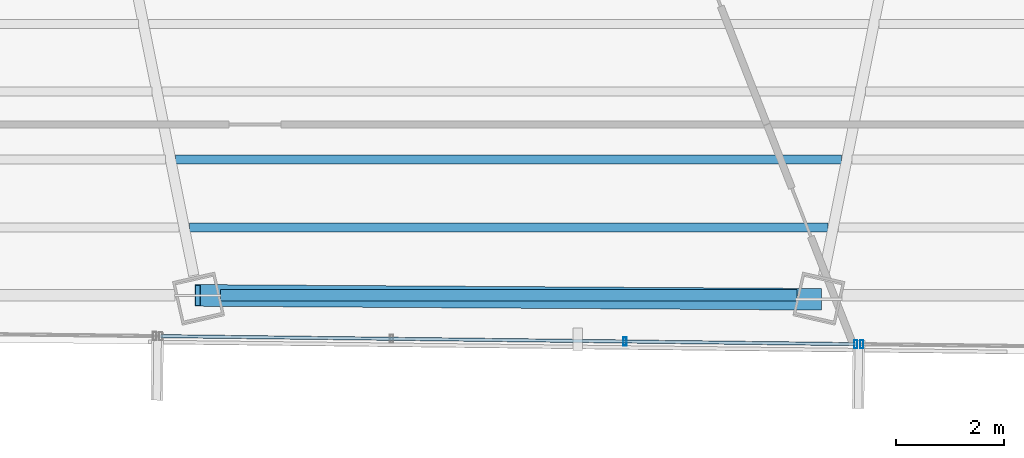
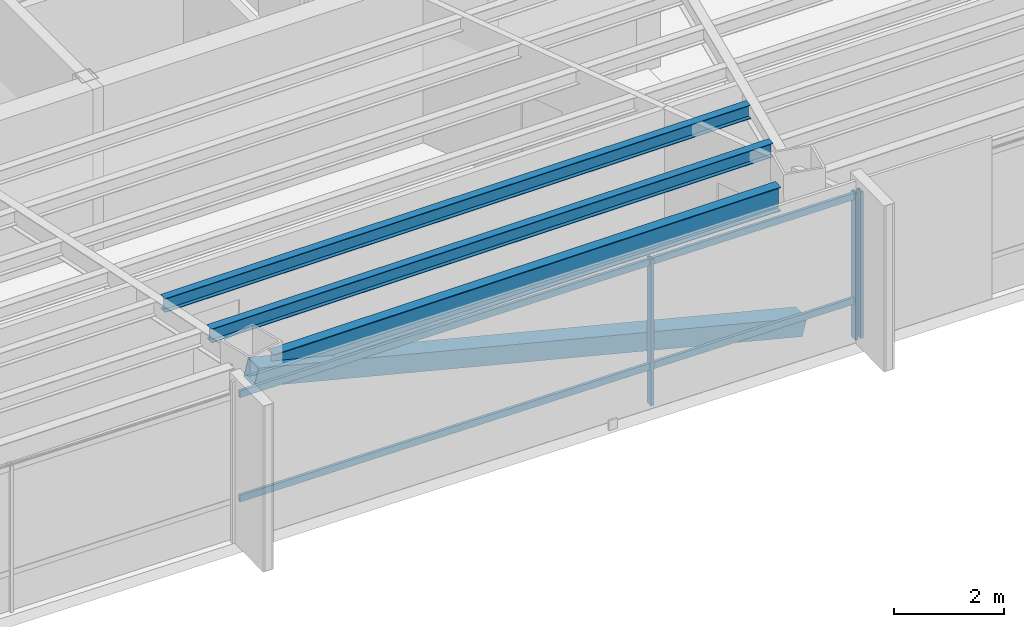
# One storey, part 10 of 40: 6 members, 3 beams, 2 elements without a shape of their own.
"""IFC4 building model written with IfcOpenShell, lengths in metres."""

from ifc_helpers import new_model, si_unit, direction, frame, origin, origin_2d, place, context, subcontext, project, spatial, hollow_rectangle, i_section, extrude, source, transform, mapped, material, material_profile, profile_set, type_object, type_shapes, element, aggregate, save


model = new_model("IFC4")

# Units and contexts
model_context = context("Model", 3, precision=1e-05, world=origin(), true_north=direction((0.0, 1.0)))
body_context = subcontext(model_context, "Body", "Model", "MODEL_VIEW")
ifc_project = project(units=[si_unit("LENGTHUNIT", "METRE"), si_unit("AREAUNIT", "SQUARE_METRE"), si_unit("VOLUMEUNIT", "CUBIC_METRE"), si_unit("PLANEANGLEUNIT", "RADIAN"), si_unit("MASSUNIT", "GRAM", prefix="KILO")], contexts=[model_context])

# Site, building, storey
site_placement = place(None, origin())
site = spatial("IfcSite", under=ifc_project, at=site_placement, CompositionType="ELEMENT")
building_placement = place(site_placement, origin())
building = spatial("IfcBuilding", under=site, at=building_placement, Name="Caelisora Broadcast Tower", CompositionType="ELEMENT")
storey_placement = place(building_placement, frame((0.0, 0.0, 216.89990234375)))
storey = spatial("IfcBuildingStorey", under=building, at=storey_placement, Name="L57", CompositionType="ELEMENT", Elevation=216.89990234375)

# Beams
ifc_material_1 = material(Name="Steel Grade 350 (AS/NZS 3679.1)", Category="steel")
ifc_material_profile_1 = material_profile(ifc_material_1, i_section(OverallWidth=0.208984375, OverallDepth=0.532958984375, WebThickness=0.01025390625, FlangeThickness=0.015625, at=origin_2d()), Name="Steel Grade 350 (AS/NZS 3679.1)")
ifc_profile_set_1 = profile_set([ifc_material_profile_1], Name="Steel Grade 350 (AS/NZS 3679.1)")
beam_type_1 = type_object("IfcBeamType", Name="PG05", PredefinedType="BEAM", material=ifc_profile_set_1)
shared_shape_1 = source(origin(), body_context, "Body", "SweptSolid", [
    extrude(i_section(OverallWidth=0.208984375, OverallDepth=0.532958984375, WebThickness=0.01025390625, FlangeThickness=0.015625, at=origin_2d()), origin(), (0.0, 0.0, 1.0), 10.6552734375),
])
type_shapes(beam_type_1, [shared_shape_1])
beam_1_placement = place(storey_placement, frame((32.67236328125, 8.621826171875, 2.983642578125), z_axis=(1.0, 0.0, 0.0), x_axis=(0.0, 1.0, 0.0)))
element("IfcBeam", 1, at=beam_1_placement, inside=storey, type_object=beam_type_1, Name="L57 beam PG05", PredefinedType="BEAM", context=body_context, shape_type="MappedRepresentation", body=[
    mapped(shared_shape_1, transform((0.0, 0.0, 0.0), scale=1.0)),
])
ifc_material_profile_2 = material_profile(ifc_material_1, i_section(OverallWidth=0.166015625, OverallDepth=0.30712890625, WebThickness=0.006591796875, FlangeThickness=0.01171875, at=origin_2d()), Name="Steel Grade 350 (AS/NZS 3679.1)")
ifc_profile_set_2 = profile_set([ifc_material_profile_2], Name="Steel Grade 350 (AS/NZS 3679.1)")
beam_type_2 = type_object("IfcBeamType", Name="SB03", PredefinedType="JOIST", material=ifc_profile_set_2)
shared_shape_2 = source(origin(), body_context, "Body", "SweptSolid", [
    extrude(i_section(OverallWidth=0.166015625, OverallDepth=0.30712890625, WebThickness=0.006591796875, FlangeThickness=0.01171875, at=origin_2d()), origin(), (0.0, 0.0, 1.0), 12.30224609375),
])
beam_2_placement = place(storey_placement, frame((31.848876953125, 11.1298828125, 3.096435546875), z_axis=(1.0, 0.0, 0.0), x_axis=(0.0, 1.0, 0.0)))
element("IfcBeam", 2, at=beam_2_placement, inside=storey, type_object=beam_type_2, Name="L57 beam SB03", PredefinedType="JOIST", context=body_context, shape_type="MappedRepresentation", body=[
    mapped(shared_shape_2, transform((0.0, 0.0, 0.0), scale=1.0)),
])
shared_shape_3 = source(origin(), body_context, "Body", "SweptSolid", [
    extrude(i_section(OverallWidth=0.166015625, OverallDepth=0.30712890625, WebThickness=0.006591796875, FlangeThickness=0.01171875, at=origin_2d()), origin(), (0.0, 0.0, 1.0), 11.80029296875),
])
type_shapes(beam_type_2, [shared_shape_2, shared_shape_3])
beam_3_placement = place(storey_placement, frame((32.099853515625, 9.875732421875, 3.096435546875), z_axis=(1.0, 0.0, 0.0), x_axis=(0.0, 1.0, 0.0)))
element("IfcBeam", 3, at=beam_3_placement, inside=storey, type_object=beam_type_2, Name="L57 beam SB03", PredefinedType="JOIST", context=body_context, shape_type="MappedRepresentation", body=[
    mapped(shared_shape_3, transform((0.0, 0.0, 0.0), scale=1.0)),
])

# Member
ifc_material_2 = material(Name="Steel Grade 450 (AS/NZS 1163 C450L0)", Category="steel")
ifc_material_profile_3 = material_profile(ifc_material_2, hollow_rectangle(XDim=0.39990234375, YDim=0.39990234375, WallThickness=0.01611328125, at=origin_2d()), Name="Steel Grade 450 (AS/NZS 1163 C450L0)")
ifc_profile_set_3 = profile_set([ifc_material_profile_3], Name="Steel Grade 450 (AS/NZS 1163 C450L0)")
member_type_1 = type_object("IfcMemberType", Name="BR04", PredefinedType="BRACE", material=ifc_profile_set_3)
shared_shape_4 = source(origin(), body_context, "Body", "SweptSolid", [
    extrude(hollow_rectangle(XDim=0.39990234375, YDim=0.39990234375, WallThickness=0.01611328125, at=origin_2d()), origin(), (0.0, 0.0, 1.0), 11.81982421875),
])
type_shapes(member_type_1, [shared_shape_4])
member_1_placement = place(storey_placement, frame((32.25634765625, 8.621826171875, 2.9501953125), z_axis=(0.970474486277, -0.006113875661, -0.241126298878), x_axis=(0.006299757929, 0.999980156328, 0.0)))
element("IfcMember", 4, at=member_1_placement, inside=storey, type_object=member_type_1, Name="L57 perimeter brace BR04", PredefinedType="BRACE", context=body_context, shape_type="MappedRepresentation", body=[
    mapped(shared_shape_4, transform((0.0, 0.0, 0.0), scale=1.0)),
])

# Curtain wall, member
ifc_material_3 = material(Name="Unitised Aluminium and Low-E Glass Curtain Wall", Category="glass")
curtain_wall_type_1 = type_object("IfcCurtainWallType", Name="CW-Z4", PredefinedType="NOTDEFINED", material=ifc_material_3)
curtain_wall_1_placement = place(storey_placement, origin())
curtain_wall_1 = element("IfcCurtainWall", 5, at=curtain_wall_1_placement, inside=storey, type_object=curtain_wall_type_1, Name="L57 curtain wall CW-Z4", PredefinedType="NOTDEFINED")
ifc_material_4 = material(Name="Aluminium 6063-T6 Anodised Terracotta Bronze", Category="aluminium")
ifc_material_profile_4 = material_profile(ifc_material_4, hollow_rectangle(XDim=0.06005859375, YDim=0.14990234375, WallThickness=0.00341796875, at=origin_2d()), Name="Aluminium 6063-T6 Anodised Terracotta Bronze")
ifc_profile_set_4 = profile_set([ifc_material_profile_4], Name="Aluminium 6063-T6 Anodised Terracotta Bronze")
member_type_2 = type_object("IfcMemberType", Name="CWM-03", PredefinedType="MULLION", material=ifc_profile_set_4)
shared_shape_5 = source(origin(), body_context, "Body", "SweptSolid", [
    extrude(hollow_rectangle(XDim=0.06005859375, YDim=0.14990234375, WallThickness=0.00341796875, at=origin_2d()), origin(), (0.0, 0.0, 1.0), 3.25),
])
type_shapes(member_type_2, [shared_shape_5])
member_2_placement = place(storey_placement, frame((44.522705078125, 7.72021484375, 0.0), z_axis=(0.0, 0.0, 1.0), x_axis=(1.0, 0.0, 0.0)))
member_2 = element("IfcMember", 6, at=member_2_placement, type_object=member_type_2, Name="L57-CW-B05 mullion #3", PredefinedType="MULLION", context=body_context, shape_type="MappedRepresentation", body=[
    mapped(shared_shape_5, transform((0.0, 0.0, 0.0), scale=1.0)),
])
aggregate(curtain_wall_1, [member_2])

# Curtain wall, members
ifc_material_5 = material(Name="Unitised Aluminium Insulated Shadow-Box Spandrel Curtain Wall", Category="aluminium")
curtain_wall_type_2 = type_object("IfcCurtainWallType", Name="CW-SP2", PredefinedType="NOTDEFINED", material=ifc_material_5)
curtain_wall_2_placement = place(storey_placement, origin())
curtain_wall_2 = element("IfcCurtainWall", 7, at=curtain_wall_2_placement, inside=storey, type_object=curtain_wall_type_2, Name="L57 curtain wall CW-SP2", PredefinedType="NOTDEFINED")
member_3_placement = place(storey_placement, frame((44.412841796875, 7.72119140625, 0.0), z_axis=(0.0, 0.0, 1.0), x_axis=(1.0, 0.0, 0.0)))
member_3 = element("IfcMember", 8, at=member_3_placement, type_object=member_type_2, Name="L57-CW-B06 mullion #0", PredefinedType="MULLION", context=body_context, shape_type="MappedRepresentation", body=[
    mapped(shared_shape_5, transform((0.0, 0.0, 0.0), scale=1.0)),
])
member_4_placement = place(storey_placement, frame((40.1484375, 7.7705078125, 0.0), z_axis=(0.0, 0.0, 1.0), x_axis=(1.0, 0.0, 0.0)))
member_4 = element("IfcMember", 9, at=member_4_placement, type_object=member_type_2, Name="L57-CW-B06 mullion #1", PredefinedType="MULLION", context=body_context, shape_type="MappedRepresentation", body=[
    mapped(shared_shape_5, transform((0.0, 0.0, 0.0), scale=1.0)),
])
ifc_material_profile_5 = material_profile(ifc_material_4, hollow_rectangle(XDim=0.06005859375, YDim=0.14990234375, WallThickness=0.00341796875, at=origin_2d()), Name="Aluminium 6063-T6 Anodised Terracotta Bronze")
ifc_profile_set_5 = profile_set([ifc_material_profile_5], Name="Aluminium 6063-T6 Anodised Terracotta Bronze")
member_type_3 = type_object("IfcMemberType", Name="CWT-02", PredefinedType="USERDEFINED", material=ifc_profile_set_5)
shared_shape_6 = source(origin(), body_context, "Body", "SweptSolid", [
    extrude(hollow_rectangle(XDim=0.06005859375, YDim=0.14990234375, WallThickness=0.00341796875, at=origin_2d()), origin(), (0.0, 0.0, 1.0), 12.84375),
])
type_shapes(member_type_3, [shared_shape_6])
member_5_placement = place(storey_placement, frame((44.412841796875, 7.72119140625, 0.85009765625), z_axis=(-0.999933653506, 0.011519053208, 0.0), x_axis=(-0.011519053208, -0.999933653506, 0.0)))
member_5 = element("IfcMember", 10, at=member_5_placement, type_object=member_type_3, Name="L57-CW-B06 transom #1", ObjectType="TRANSOM", PredefinedType="USERDEFINED", context=body_context, shape_type="MappedRepresentation", body=[
    mapped(shared_shape_6, transform((0.0, 0.0, 0.0), scale=1.0)),
])
member_6_placement = place(storey_placement, frame((44.412841796875, 7.72119140625, 3.170166015625), z_axis=(-0.999933653506, 0.011519053208, 0.0), x_axis=(-0.011519053208, -0.999933653506, 0.0)))
member_6 = element("IfcMember", 11, at=member_6_placement, type_object=member_type_3, Name="L57-CW-B06 transom #2", ObjectType="TRANSOM", PredefinedType="USERDEFINED", context=body_context, shape_type="MappedRepresentation", body=[
    mapped(shared_shape_6, transform((0.0, 0.0, 0.0), scale=1.0)),
])
aggregate(curtain_wall_2, [member_3, member_4, member_5, member_6])

save(model, "model.ifc")
